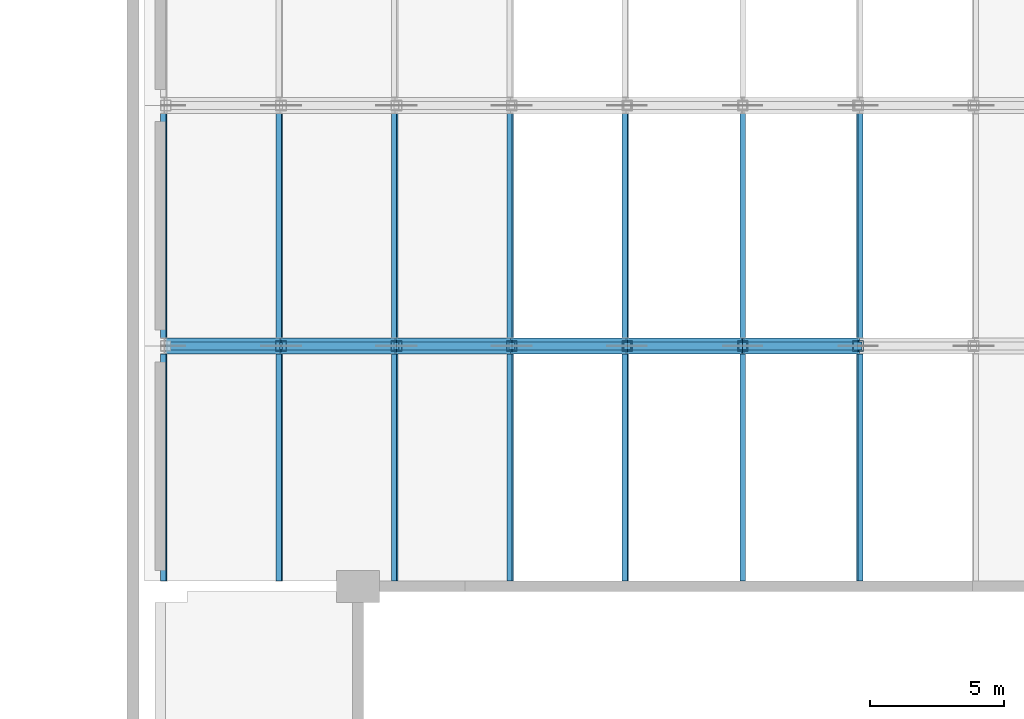
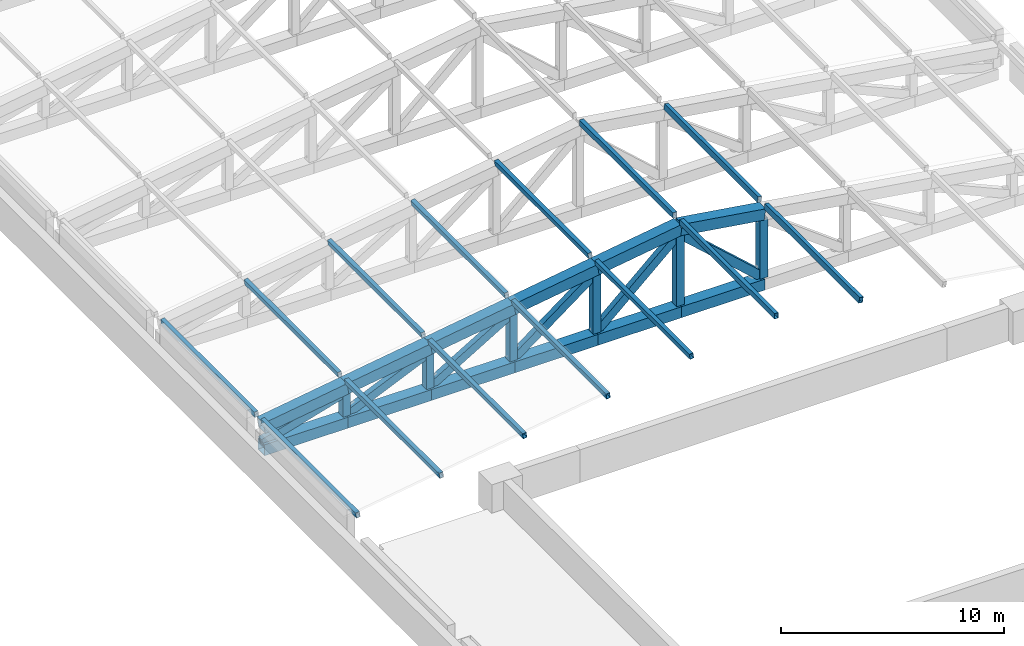
# One storey, part 9 of 32: 38 members.
"""IFC4 building model written with IfcOpenShell, lengths in metres."""

from ifc_helpers import new_model, si_unit, direction, frame, origin, origin_2d, place, context, subcontext, project, spatial, hollow_rectangle, extrude, material, material_profile, profile_set, type_object, element, save


model = new_model("IFC4")

# Units and contexts
model_context = context("Model", 3, precision=1e-05, world=origin(), true_north=direction((0.0, 1.0)))
body_context = subcontext(model_context, "Body", "Model", "MODEL_VIEW")
ifc_project = project(units=[si_unit("LENGTHUNIT", "METRE"), si_unit("AREAUNIT", "SQUARE_METRE"), si_unit("VOLUMEUNIT", "CUBIC_METRE"), si_unit("PLANEANGLEUNIT", "RADIAN"), si_unit("MASSUNIT", "GRAM", prefix="KILO")], contexts=[model_context])

# Site, building, storey
site_placement = place(None, origin())
site = spatial("IfcSite", under=ifc_project, at=site_placement, CompositionType="ELEMENT")
building_placement = place(site_placement, origin())
building = spatial("IfcBuilding", under=site, at=building_placement, Name="Aravalli Gate Trade Fair Centre", CompositionType="ELEMENT")
storey_placement = place(building_placement, frame((0.0, 0.0, 23.39990234375)))
storey = spatial("IfcBuildingStorey", under=building, at=storey_placement, Name="ROOF LEVEL 1", CompositionType="ELEMENT", Elevation=23.39990234375)

# Members
ifc_material = material(Name="Steel E350", Category="steel")
ifc_material_profile_1 = material_profile(ifc_material, hollow_rectangle(XDim=0.199951171875, YDim=0.300048828125, WallThickness=0.011962890625, at=origin_2d()), Name="RHS 300x200x12")
ifc_profile_set_1 = profile_set([ifc_material_profile_1], Name="Steel E350")
member_type_1 = type_object("IfcMemberType", Name="Congress roof purlin RHS 300x200x12", PredefinedType="PURLIN", material=ifc_profile_set_1)
member_1_placement = place(storey_placement, frame((106.73193359375, 64.199951171875, 1.94482421875), z_axis=(0.0, 1.0, 0.0), x_axis=(-0.988529762953, 0.0, -0.151026182356)))
element("IfcMember", 1, at=member_1_placement, inside=storey, type_object=member_type_1, Name="Roof purlin line 1 bay 1", PredefinedType="PURLIN", context=body_context, shape_type="SweptSolid", body=[
    extrude(hollow_rectangle(XDim=0.199951171875, YDim=0.300048828125, WallThickness=0.011962890625, at=origin_2d()), origin(), (0.0, 0.0, 1.0), 8.5),
])
member_2_placement = place(storey_placement, frame((106.73193359375, 73.300048828125, 1.94482421875), z_axis=(0.0, 1.0, 0.0), x_axis=(-0.988529762953, 0.0, -0.151026182356)))
element("IfcMember", 2, at=member_2_placement, inside=storey, type_object=member_type_1, Name="Roof purlin line 1 bay 2", PredefinedType="PURLIN", context=body_context, shape_type="SweptSolid", body=[
    extrude(hollow_rectangle(XDim=0.199951171875, YDim=0.300048828125, WallThickness=0.011962890625, at=origin_2d()), origin(), (0.0, 0.0, 1.0), 8.39990234375),
])
member_3_placement = place(storey_placement, frame((111.052001953125, 64.199951171875, 2.60498046875), z_axis=(0.0, 1.0, 0.0), x_axis=(-0.988529762953, 0.0, -0.151026182356)))
element("IfcMember", 3, at=member_3_placement, inside=storey, type_object=member_type_1, Name="Roof purlin line 2 bay 1", PredefinedType="PURLIN", context=body_context, shape_type="SweptSolid", body=[
    extrude(hollow_rectangle(XDim=0.199951171875, YDim=0.300048828125, WallThickness=0.011962890625, at=origin_2d()), origin(), (0.0, 0.0, 1.0), 8.5),
])
member_4_placement = place(storey_placement, frame((111.052001953125, 73.300048828125, 2.60498046875), z_axis=(0.0, 1.0, 0.0), x_axis=(-0.988529762953, 0.0, -0.151026182356)))
element("IfcMember", 4, at=member_4_placement, inside=storey, type_object=member_type_1, Name="Roof purlin line 2 bay 2", PredefinedType="PURLIN", context=body_context, shape_type="SweptSolid", body=[
    extrude(hollow_rectangle(XDim=0.199951171875, YDim=0.300048828125, WallThickness=0.011962890625, at=origin_2d()), origin(), (0.0, 0.0, 1.0), 8.39990234375),
])
member_5_placement = place(storey_placement, frame((115.3720703125, 64.199951171875, 3.264892578125), z_axis=(0.0, 1.0, 0.0), x_axis=(-0.988529762953, 0.0, -0.151026182356)))
element("IfcMember", 5, at=member_5_placement, inside=storey, type_object=member_type_1, Name="Roof purlin line 3 bay 1", PredefinedType="PURLIN", context=body_context, shape_type="SweptSolid", body=[
    extrude(hollow_rectangle(XDim=0.199951171875, YDim=0.300048828125, WallThickness=0.011962890625, at=origin_2d()), origin(), (0.0, 0.0, 1.0), 8.5),
])
member_6_placement = place(storey_placement, frame((115.3720703125, 73.300048828125, 3.264892578125), z_axis=(0.0, 1.0, 0.0), x_axis=(-0.988529762953, 0.0, -0.151026182356)))
element("IfcMember", 6, at=member_6_placement, inside=storey, type_object=member_type_1, Name="Roof purlin line 3 bay 2", PredefinedType="PURLIN", context=body_context, shape_type="SweptSolid", body=[
    extrude(hollow_rectangle(XDim=0.199951171875, YDim=0.300048828125, WallThickness=0.011962890625, at=origin_2d()), origin(), (0.0, 0.0, 1.0), 8.39990234375),
])
member_7_placement = place(storey_placement, frame((119.69189453125, 64.199951171875, 3.9248046875), z_axis=(0.0, 1.0, 0.0), x_axis=(-0.988529762953, 0.0, -0.151026182356)))
element("IfcMember", 7, at=member_7_placement, inside=storey, type_object=member_type_1, Name="Roof purlin line 4 bay 1", PredefinedType="PURLIN", context=body_context, shape_type="SweptSolid", body=[
    extrude(hollow_rectangle(XDim=0.199951171875, YDim=0.300048828125, WallThickness=0.011962890625, at=origin_2d()), origin(), (0.0, 0.0, 1.0), 8.5),
])
member_8_placement = place(storey_placement, frame((119.69189453125, 73.300048828125, 3.9248046875), z_axis=(0.0, 1.0, 0.0), x_axis=(-0.988529762953, 0.0, -0.151026182356)))
element("IfcMember", 8, at=member_8_placement, inside=storey, type_object=member_type_1, Name="Roof purlin line 4 bay 2", PredefinedType="PURLIN", context=body_context, shape_type="SweptSolid", body=[
    extrude(hollow_rectangle(XDim=0.199951171875, YDim=0.300048828125, WallThickness=0.011962890625, at=origin_2d()), origin(), (0.0, 0.0, 1.0), 8.39990234375),
])
member_9_placement = place(storey_placement, frame((124.011962890625, 64.199951171875, 4.5849609375), z_axis=(0.0, 1.0, 0.0), x_axis=(-0.988529762953, 0.0, -0.151026182356)))
element("IfcMember", 9, at=member_9_placement, inside=storey, type_object=member_type_1, Name="Roof purlin line 5 bay 1", PredefinedType="PURLIN", context=body_context, shape_type="SweptSolid", body=[
    extrude(hollow_rectangle(XDim=0.199951171875, YDim=0.300048828125, WallThickness=0.011962890625, at=origin_2d()), origin(), (0.0, 0.0, 1.0), 8.5),
])
member_10_placement = place(storey_placement, frame((124.011962890625, 73.300048828125, 4.5849609375), z_axis=(0.0, 1.0, 0.0), x_axis=(-0.988529762953, 0.0, -0.151026182356)))
element("IfcMember", 10, at=member_10_placement, inside=storey, type_object=member_type_1, Name="Roof purlin line 5 bay 2", PredefinedType="PURLIN", context=body_context, shape_type="SweptSolid", body=[
    extrude(hollow_rectangle(XDim=0.199951171875, YDim=0.300048828125, WallThickness=0.011962890625, at=origin_2d()), origin(), (0.0, 0.0, 1.0), 8.39990234375),
])
member_11_placement = place(storey_placement, frame((128.39990234375, 64.199951171875, 5.25634765625), z_axis=(0.0, 1.0, 0.0), x_axis=(-1.0, 0.0, 0.0)))
element("IfcMember", 11, at=member_11_placement, inside=storey, type_object=member_type_1, Name="Roof purlin line 6 bay 1", PredefinedType="PURLIN", context=body_context, shape_type="SweptSolid", body=[
    extrude(hollow_rectangle(XDim=0.199951171875, YDim=0.300048828125, WallThickness=0.011962890625, at=origin_2d()), origin(), (0.0, 0.0, 1.0), 8.5),
])
member_12_placement = place(storey_placement, frame((128.39990234375, 73.300048828125, 5.25634765625), z_axis=(0.0, 1.0, 0.0), x_axis=(-1.0, 0.0, 0.0)))
element("IfcMember", 12, at=member_12_placement, inside=storey, type_object=member_type_1, Name="Roof purlin line 6 bay 2", PredefinedType="PURLIN", context=body_context, shape_type="SweptSolid", body=[
    extrude(hollow_rectangle(XDim=0.199951171875, YDim=0.300048828125, WallThickness=0.011962890625, at=origin_2d()), origin(), (0.0, 0.0, 1.0), 8.39990234375),
])
member_13_placement = place(storey_placement, frame((132.7880859375, 64.199951171875, 4.5849609375), z_axis=(0.0, 1.0, 0.0), x_axis=(-0.988529762953, 0.0, 0.151026182356)))
element("IfcMember", 13, at=member_13_placement, inside=storey, type_object=member_type_1, Name="Roof purlin line 7 bay 1", PredefinedType="PURLIN", context=body_context, shape_type="SweptSolid", body=[
    extrude(hollow_rectangle(XDim=0.199951171875, YDim=0.300048828125, WallThickness=0.011962890625, at=origin_2d()), origin(), (0.0, 0.0, 1.0), 8.5),
])
member_14_placement = place(storey_placement, frame((132.7880859375, 73.300048828125, 4.5849609375), z_axis=(0.0, 1.0, 0.0), x_axis=(-0.988529762953, 0.0, 0.151026182356)))
element("IfcMember", 14, at=member_14_placement, inside=storey, type_object=member_type_1, Name="Roof purlin line 7 bay 2", PredefinedType="PURLIN", context=body_context, shape_type="SweptSolid", body=[
    extrude(hollow_rectangle(XDim=0.199951171875, YDim=0.300048828125, WallThickness=0.011962890625, at=origin_2d()), origin(), (0.0, 0.0, 1.0), 8.39990234375),
])
ifc_material_profile_2 = material_profile(ifc_material, hollow_rectangle(XDim=0.60009765625, YDim=0.60009765625, WallThickness=0.02490234375, at=origin_2d()), Name="BOX 600x600x25")
ifc_profile_set_2 = profile_set([ifc_material_profile_2], Name="Steel E350")
member_type_2 = type_object("IfcMemberType", Name="Congress roof truss chord BOX 600x600x25", PredefinedType="CHORD", material=ifc_profile_set_2)
member_15_placement = place(storey_placement, frame((106.800048828125, 73.0, 0.300048828125), z_axis=(1.0, 0.0, 0.0), x_axis=(0.0, 1.0, 0.0)))
element("IfcMember", 15, at=member_15_placement, inside=storey, type_object=member_type_2, Name="Roof truss 73 bottom chord 1", PredefinedType="CHORD", context=body_context, shape_type="SweptSolid", body=[
    extrude(hollow_rectangle(XDim=0.60009765625, YDim=0.60009765625, WallThickness=0.02490234375, at=origin_2d()), origin(), (0.0, 0.0, 1.0), 4.320068359375),
])
member_16_placement = place(storey_placement, frame((106.800048828125, 73.0, 1.5), z_axis=(0.988524901177, 0.0, 0.151058001288), x_axis=(0.0, 1.0, 0.0)))
element("IfcMember", 16, at=member_16_placement, inside=storey, type_object=member_type_2, Name="Roof truss 73 top chord 1", PredefinedType="CHORD", context=body_context, shape_type="SweptSolid", body=[
    extrude(hollow_rectangle(XDim=0.60009765625, YDim=0.60009765625, WallThickness=0.02490234375, at=origin_2d()), origin(), (0.0, 0.0, 1.0), 4.3701171875),
])
member_17_placement = place(storey_placement, frame((111.1201171875, 73.0, 0.300048828125), z_axis=(1.0, 0.0, 0.0), x_axis=(0.0, 1.0, 0.0)))
element("IfcMember", 17, at=member_17_placement, inside=storey, type_object=member_type_2, Name="Roof truss 73 bottom chord 2", PredefinedType="CHORD", context=body_context, shape_type="SweptSolid", body=[
    extrude(hollow_rectangle(XDim=0.60009765625, YDim=0.60009765625, WallThickness=0.02490234375, at=origin_2d()), origin(), (0.0, 0.0, 1.0), 4.31982421875),
])
member_18_placement = place(storey_placement, frame((111.1201171875, 73.0, 2.16015625), z_axis=(0.988531967762, 0.0, 0.151011750246), x_axis=(0.0, 1.0, 0.0)))
element("IfcMember", 18, at=member_18_placement, inside=storey, type_object=member_type_2, Name="Roof truss 73 top chord 2", PredefinedType="CHORD", context=body_context, shape_type="SweptSolid", body=[
    extrude(hollow_rectangle(XDim=0.60009765625, YDim=0.60009765625, WallThickness=0.02490234375, at=origin_2d()), origin(), (0.0, 0.0, 1.0), 4.369873046875),
])
member_19_placement = place(storey_placement, frame((115.43994140625, 73.0, 0.300048828125), z_axis=(1.0, 0.0, 0.0), x_axis=(0.0, 1.0, 0.0)))
element("IfcMember", 19, at=member_19_placement, inside=storey, type_object=member_type_2, Name="Roof truss 73 bottom chord 3", PredefinedType="CHORD", context=body_context, shape_type="SweptSolid", body=[
    extrude(hollow_rectangle(XDim=0.60009765625, YDim=0.60009765625, WallThickness=0.02490234375, at=origin_2d()), origin(), (0.0, 0.0, 1.0), 4.320068359375),
])
member_20_placement = place(storey_placement, frame((115.43994140625, 73.0, 2.820068359375), z_axis=(0.988533241706, 0.0, 0.1510034107), x_axis=(0.0, 1.0, 0.0)))
element("IfcMember", 20, at=member_20_placement, inside=storey, type_object=member_type_2, Name="Roof truss 73 top chord 3", PredefinedType="CHORD", context=body_context, shape_type="SweptSolid", body=[
    extrude(hollow_rectangle(XDim=0.60009765625, YDim=0.60009765625, WallThickness=0.02490234375, at=origin_2d()), origin(), (0.0, 0.0, 1.0), 4.3701171875),
])
member_21_placement = place(storey_placement, frame((119.760009765625, 73.0, 0.300048828125), z_axis=(1.0, 0.0, 0.0), x_axis=(0.0, 1.0, 0.0)))
element("IfcMember", 21, at=member_21_placement, inside=storey, type_object=member_type_2, Name="Roof truss 73 bottom chord 4", PredefinedType="CHORD", context=body_context, shape_type="SweptSolid", body=[
    extrude(hollow_rectangle(XDim=0.60009765625, YDim=0.60009765625, WallThickness=0.02490234375, at=origin_2d()), origin(), (0.0, 0.0, 1.0), 4.320068359375),
])
member_22_placement = place(storey_placement, frame((119.760009765625, 73.0, 3.47998046875), z_axis=(0.988524901177, 0.0, 0.151058001288), x_axis=(0.0, 1.0, 0.0)))
element("IfcMember", 22, at=member_22_placement, inside=storey, type_object=member_type_2, Name="Roof truss 73 top chord 4", PredefinedType="CHORD", context=body_context, shape_type="SweptSolid", body=[
    extrude(hollow_rectangle(XDim=0.60009765625, YDim=0.60009765625, WallThickness=0.02490234375, at=origin_2d()), origin(), (0.0, 0.0, 1.0), 4.3701171875),
])
member_23_placement = place(storey_placement, frame((124.080078125, 73.0, 0.300048828125), z_axis=(1.0, 0.0, 0.0), x_axis=(0.0, 1.0, 0.0)))
element("IfcMember", 23, at=member_23_placement, inside=storey, type_object=member_type_2, Name="Roof truss 73 bottom chord 5", PredefinedType="CHORD", context=body_context, shape_type="SweptSolid", body=[
    extrude(hollow_rectangle(XDim=0.60009765625, YDim=0.60009765625, WallThickness=0.02490234375, at=origin_2d()), origin(), (0.0, 0.0, 1.0), 4.31982421875),
])
member_24_placement = place(storey_placement, frame((124.080078125, 73.0, 4.14013671875), z_axis=(0.988531967762, 0.0, 0.151011750246), x_axis=(0.0, 1.0, 0.0)))
element("IfcMember", 24, at=member_24_placement, inside=storey, type_object=member_type_2, Name="Roof truss 73 top chord 5", PredefinedType="CHORD", context=body_context, shape_type="SweptSolid", body=[
    extrude(hollow_rectangle(XDim=0.60009765625, YDim=0.60009765625, WallThickness=0.02490234375, at=origin_2d()), origin(), (0.0, 0.0, 1.0), 4.369873046875),
])
member_25_placement = place(storey_placement, frame((128.39990234375, 73.0, 0.300048828125), z_axis=(1.0, 0.0, 0.0), x_axis=(0.0, 1.0, 0.0)))
element("IfcMember", 25, at=member_25_placement, inside=storey, type_object=member_type_2, Name="Roof truss 73 bottom chord 6", PredefinedType="CHORD", context=body_context, shape_type="SweptSolid", body=[
    extrude(hollow_rectangle(XDim=0.60009765625, YDim=0.60009765625, WallThickness=0.02490234375, at=origin_2d()), origin(), (0.0, 0.0, 1.0), 4.320068359375),
])
member_26_placement = place(storey_placement, frame((128.39990234375, 73.0, 4.800048828125), z_axis=(0.988533241706, 0.0, -0.1510034107), x_axis=(0.0, 1.0, 0.0)))
element("IfcMember", 26, at=member_26_placement, inside=storey, type_object=member_type_2, Name="Roof truss 73 top chord 6", PredefinedType="CHORD", context=body_context, shape_type="SweptSolid", body=[
    extrude(hollow_rectangle(XDim=0.60009765625, YDim=0.60009765625, WallThickness=0.02490234375, at=origin_2d()), origin(), (0.0, 0.0, 1.0), 4.3701171875),
])
ifc_material_profile_3 = material_profile(ifc_material, hollow_rectangle(XDim=0.300048828125, YDim=0.449951171875, WallThickness=0.02001953125, at=origin_2d()), Name="RHS 450x300x20")
ifc_profile_set_3 = profile_set([ifc_material_profile_3], Name="Steel E350")
member_type_3 = type_object("IfcMemberType", Name="Congress roof truss diagonal RHS 450x300x20", PredefinedType="BRACE", material=ifc_profile_set_3)
member_27_placement = place(storey_placement, frame((106.800048828125, 73.0, 0.60009765625), z_axis=(0.960204557867, 0.0, 0.279297703269), x_axis=(0.0, 1.0, 0.0)))
element("IfcMember", 27, at=member_27_placement, inside=storey, type_object=member_type_3, Name="Roof truss 73 diagonal 1", PredefinedType="BRACE", context=body_context, shape_type="SweptSolid", body=[
    extrude(hollow_rectangle(XDim=0.300048828125, YDim=0.449951171875, WallThickness=0.02001953125, at=origin_2d()), origin(), (0.0, 0.0, 1.0), 4.4990234375),
])
member_28_placement = place(storey_placement, frame((111.1201171875, 73.0, 0.60009765625), z_axis=(0.914079770282, 0.0, 0.405534429564), x_axis=(0.0, 1.0, 0.0)))
element("IfcMember", 28, at=member_28_placement, inside=storey, type_object=member_type_3, Name="Roof truss 73 diagonal 2", PredefinedType="BRACE", context=body_context, shape_type="SweptSolid", body=[
    extrude(hollow_rectangle(XDim=0.300048828125, YDim=0.449951171875, WallThickness=0.02001953125, at=origin_2d()), origin(), (0.0, 0.0, 1.0), 4.725830078125),
])
member_29_placement = place(storey_placement, frame((115.43994140625, 73.0, 0.60009765625), z_axis=(0.858860337137, 0.0, 0.512209841074), x_axis=(0.0, 1.0, 0.0)))
element("IfcMember", 29, at=member_29_placement, inside=storey, type_object=member_type_3, Name="Roof truss 73 diagonal 3", PredefinedType="BRACE", context=body_context, shape_type="SweptSolid", body=[
    extrude(hollow_rectangle(XDim=0.300048828125, YDim=0.449951171875, WallThickness=0.02001953125, at=origin_2d()), origin(), (0.0, 0.0, 1.0), 5.030029296875),
])
member_30_placement = place(storey_placement, frame((119.760009765625, 73.0, 0.60009765625), z_axis=(0.800309253103, 0.0, 0.599587440994), x_axis=(0.0, 1.0, 0.0)))
element("IfcMember", 30, at=member_30_placement, inside=storey, type_object=member_type_3, Name="Roof truss 73 diagonal 4", PredefinedType="BRACE", context=body_context, shape_type="SweptSolid", body=[
    extrude(hollow_rectangle(XDim=0.300048828125, YDim=0.449951171875, WallThickness=0.02001953125, at=origin_2d()), origin(), (0.0, 0.0, 1.0), 5.39794921875),
])
for number, where, z_axis, x_axis, name in (
    (31, (124.080078125, 73.0, 0.60009765625), (0.74255499019, 0.0, 0.669785104749), (0.0, 1.0, 0.0), "Roof truss 73 diagonal 5"),
    (32, (132.719970703125, 73.0, 0.60009765625), (-0.742573815983, 0.0, 0.669764233008), (0.0, -1.0, 0.0), "Roof truss 73 diagonal 6"),
):
    element("IfcMember", number, at=place(storey_placement, frame(where, z_axis=z_axis, x_axis=x_axis)), inside=storey, type_object=member_type_3, Name=name, PredefinedType="BRACE", context=body_context, shape_type="SweptSolid", body=[
        extrude(hollow_rectangle(XDim=0.300048828125, YDim=0.449951171875, WallThickness=0.02001953125, at=origin_2d()), origin(), (0.0, 0.0, 1.0), 5.817626953125),
    ])
ifc_material_profile_4 = material_profile(ifc_material, hollow_rectangle(XDim=0.39990234375, YDim=0.39990234375, WallThickness=0.02001953125, at=origin_2d()), Name="BOX 400x400x20")
ifc_profile_set_4 = profile_set([ifc_material_profile_4], Name="Steel E350")
member_type_4 = type_object("IfcMemberType", Name="Congress roof truss post BOX 400x400x20", PredefinedType="POST", material=ifc_profile_set_4)
member_31_placement = place(storey_placement, frame((111.1201171875, 73.0, 0.60009765625), z_axis=(0.0, 0.0, 1.0), x_axis=(1.0, 0.0, 0.0)))
element("IfcMember", 33, at=member_31_placement, inside=storey, type_object=member_type_4, Name="Roof truss 73 post 1", PredefinedType="POST", context=body_context, shape_type="SweptSolid", body=[
    extrude(hollow_rectangle(XDim=0.39990234375, YDim=0.39990234375, WallThickness=0.02001953125, at=origin_2d()), origin(), (0.0, 0.0, 1.0), 1.256591796875),
])
member_32_placement = place(storey_placement, frame((115.43994140625, 73.0, 0.60009765625), z_axis=(0.0, 0.0, 1.0), x_axis=(1.0, 0.0, 0.0)))
element("IfcMember", 34, at=member_32_placement, inside=storey, type_object=member_type_4, Name="Roof truss 73 post 2", PredefinedType="POST", context=body_context, shape_type="SweptSolid", body=[
    extrude(hollow_rectangle(XDim=0.39990234375, YDim=0.39990234375, WallThickness=0.02001953125, at=origin_2d()), origin(), (0.0, 0.0, 1.0), 1.91650390625),
])
member_33_placement = place(storey_placement, frame((119.760009765625, 73.0, 0.60009765625), z_axis=(0.0, 0.0, 1.0), x_axis=(1.0, 0.0, 0.0)))
element("IfcMember", 35, at=member_33_placement, inside=storey, type_object=member_type_4, Name="Roof truss 73 post 3", PredefinedType="POST", context=body_context, shape_type="SweptSolid", body=[
    extrude(hollow_rectangle(XDim=0.39990234375, YDim=0.39990234375, WallThickness=0.02001953125, at=origin_2d()), origin(), (0.0, 0.0, 1.0), 2.576416015625),
])
member_34_placement = place(storey_placement, frame((124.080078125, 73.0, 0.60009765625), z_axis=(0.0, 0.0, 1.0), x_axis=(1.0, 0.0, 0.0)))
element("IfcMember", 36, at=member_34_placement, inside=storey, type_object=member_type_4, Name="Roof truss 73 post 4", PredefinedType="POST", context=body_context, shape_type="SweptSolid", body=[
    extrude(hollow_rectangle(XDim=0.39990234375, YDim=0.39990234375, WallThickness=0.02001953125, at=origin_2d()), origin(), (0.0, 0.0, 1.0), 3.236572265625),
])
member_35_placement = place(storey_placement, frame((128.39990234375, 73.0, 0.60009765625), z_axis=(0.0, 0.0, 1.0), x_axis=(1.0, 0.0, 0.0)))
element("IfcMember", 37, at=member_35_placement, inside=storey, type_object=member_type_4, Name="Roof truss 73 post 5", PredefinedType="POST", context=body_context, shape_type="SweptSolid", body=[
    extrude(hollow_rectangle(XDim=0.39990234375, YDim=0.39990234375, WallThickness=0.02001953125, at=origin_2d()), origin(), (0.0, 0.0, 1.0), 3.896484375),
])
member_36_placement = place(storey_placement, frame((132.719970703125, 73.0, 0.60009765625), z_axis=(0.0, 0.0, 1.0), x_axis=(1.0, 0.0, 0.0)))
element("IfcMember", 38, at=member_36_placement, inside=storey, type_object=member_type_4, Name="Roof truss 73 post 6", PredefinedType="POST", context=body_context, shape_type="SweptSolid", body=[
    extrude(hollow_rectangle(XDim=0.39990234375, YDim=0.39990234375, WallThickness=0.02001953125, at=origin_2d()), origin(), (0.0, 0.0, 1.0), 3.236572265625),
])

save(model, "model.ifc")
